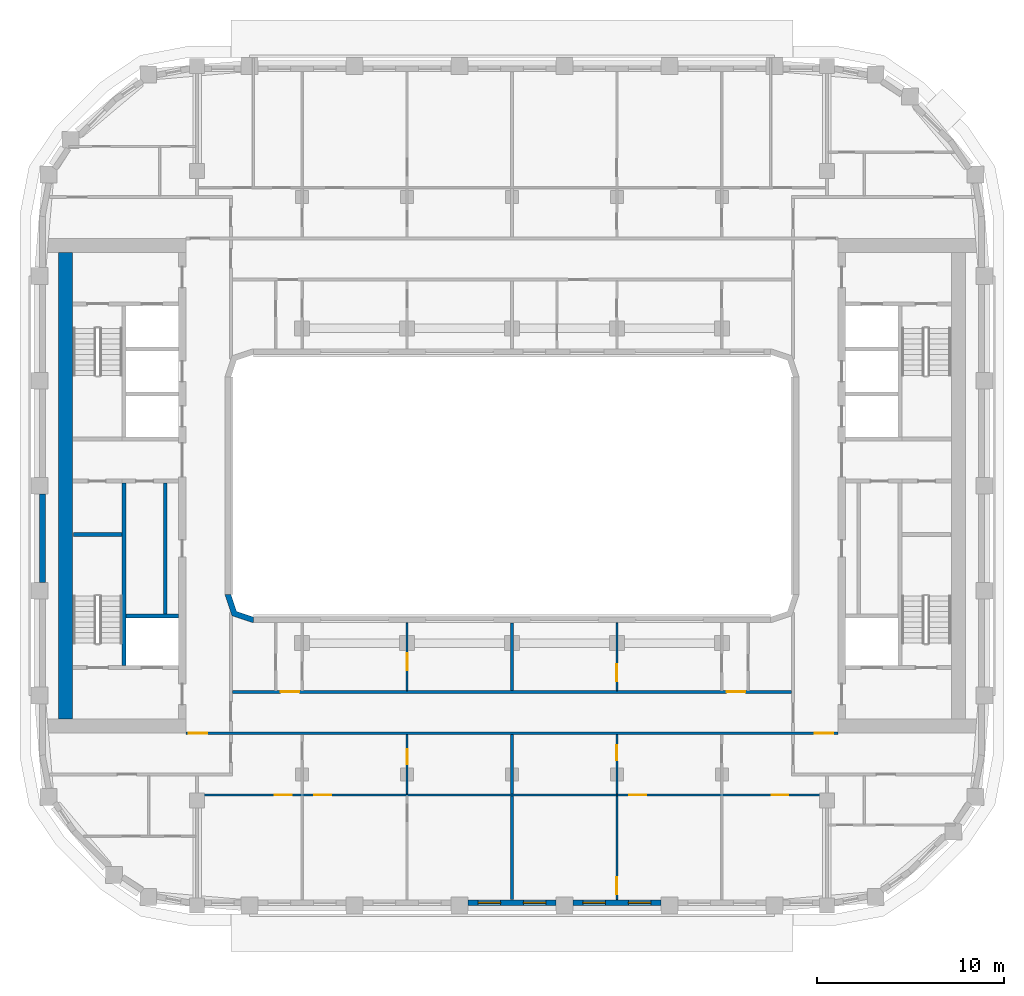
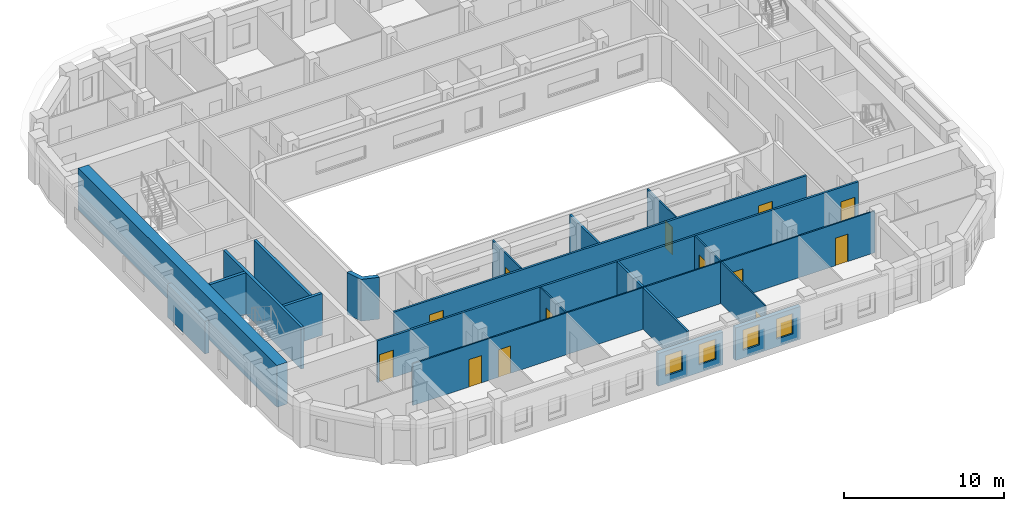
# One storey, part 3 of 20: 20 walls, 13 doors, 4 windows, 17 openings.
"""IFC4 building model written with IfcOpenShell, lengths in metres."""

from ifc_helpers import new_model, si_unit, direction, frame, frame_2d, origin, place, context, subcontext, project, spatial, polyline, rectangle, outline, extrude, material, layer, layer_set, type_object, element, fill, save


model = new_model("IFC4")

# Units and contexts
model_context = context("Model", 3, precision=1e-05, world=origin(), true_north=direction((0.0, 1.0)))
body_context = subcontext(model_context, "Body", "Model", "MODEL_VIEW")
ifc_project = project(units=[si_unit("LENGTHUNIT", "METRE"), si_unit("AREAUNIT", "SQUARE_METRE"), si_unit("VOLUMEUNIT", "CUBIC_METRE"), si_unit("PLANEANGLEUNIT", "RADIAN"), si_unit("MASSUNIT", "GRAM", prefix="KILO")], contexts=[model_context])

# Site, building, storey
site_placement = place(None, origin())
site = spatial("IfcSite", under=ifc_project, at=site_placement, CompositionType="ELEMENT")
building_placement = place(site_placement, origin())
building = spatial("IfcBuilding", under=site, at=building_placement, Name="Kiln Ring Residences", CompositionType="ELEMENT")
storey_placement = place(building_placement, frame((0.0, 0.0, 206.39990234375)))
storey = spatial("IfcBuildingStorey", under=building, at=storey_placement, Name="L53", CompositionType="ELEMENT", Elevation=206.39990234375)

# Walls
ifc_material_1 = material(Name="Gypsum board on steel studs", Category="steel")
ifc_layer_1 = layer(ifc_material_1, 0.199951171875)
ifc_layer_set_1 = layer_set([ifc_layer_1], Name="CORE-PARTITION-200")
wall_type_1 = type_object("IfcWallType", Name="CORE-PARTITION-200", PredefinedType="PARTITIONING", material=ifc_layer_set_1)
wall_1_placement = place(storey_placement, frame((-18.5, -6.85009765625, 0.0), z_axis=(0.0, 0.0, 1.0), x_axis=(0.0, 1.0, 0.0)))
element("IfcWall", 1, at=wall_1_placement, inside=storey, type_object=wall_type_1, Name="Core partition west L53 2", PredefinedType="PARTITIONING", context=body_context, shape_type="SweptSolid", body=[
    extrude(rectangle(XDim=7.0, YDim=0.199951171875, at=frame_2d((3.5, 0.0))), origin(), (0.0, 0.0, 1.0), 3.2001953125),
])
ifc_material_2 = material(Name="Gypsum shaft wall system")
ifc_layer_2 = layer(ifc_material_2, 0.199951171875)
ifc_layer_set_2 = layer_set([ifc_layer_2], Name="CORE-SHAFT-WALL-200")
wall_type_2 = type_object("IfcWallType", Name="CORE-SHAFT-WALL-200", PredefinedType="PARTITIONING", material=ifc_layer_set_2)
wall_2_placement = place(storey_placement, frame((-17.800048828125, -6.949951171875, 0.0), z_axis=(0.0, 0.0, 1.0), x_axis=(-1.0, 0.0, 0.0)))
element("IfcWall", 2, at=wall_2_placement, inside=storey, type_object=wall_type_2, Name="Core partition west L53 3", PredefinedType="PARTITIONING", context=body_context, shape_type="SweptSolid", body=[
    extrude(rectangle(XDim=2.800048828125, YDim=0.199951171875, at=frame_2d((1.39990234375, 0.0))), origin(), (0.0, 0.0, 1.0), 3.2001953125),
])
ifc_material_3 = material(Name="Concrete C40/50", Category="concrete")
ifc_layer_3 = layer(ifc_material_3, 0.199951171875)
ifc_layer_set_3 = layer_set([ifc_layer_3], Name="CORE-WALL-RC200")
wall_type_3 = type_object("IfcWallType", Name="CORE-WALL-RC200", PredefinedType="SHEAR", material=ifc_layer_set_3)
wall_3_placement = place(storey_placement, frame((-20.699951171875, -9.60009765625, 0.0), z_axis=(0.0, 0.0, 1.0), x_axis=(0.0, 1.0, 0.0)))
element("IfcWall", 3, at=wall_3_placement, inside=storey, type_object=wall_type_3, Name="Core wall west L53 2", PredefinedType="SHEAR", context=body_context, shape_type="SweptSolid", body=[
    extrude(rectangle(XDim=9.75, YDim=0.199951171875, at=frame_2d((4.875, 0.0))), origin(), (0.0, 0.0, 1.0), 3.2001953125),
])
wall_4_placement = place(storey_placement, frame((-20.800048828125, -2.60009765625, 0.0), z_axis=(0.0, 0.0, 1.0), x_axis=(-1.0, 0.0, 0.0)))
element("IfcWall", 4, at=wall_4_placement, inside=storey, type_object=wall_type_3, Name="Core wall west L53 10", PredefinedType="SHEAR", context=body_context, shape_type="SweptSolid", body=[
    extrude(rectangle(XDim=2.599853515625, YDim=0.199951171875, at=frame_2d((1.2998046875, 0.0))), origin(), (0.0, 0.0, 1.0), 3.2001953125),
])
ifc_material_4 = material(Name="Concrete C60/75", Category="concrete")
ifc_layer_4 = layer(ifc_material_4, 0.75)
ifc_layer_set_4 = layer_set([ifc_layer_4], Name="CORE-WALL-RC750")
wall_type_4 = type_object("IfcWallType", Name="CORE-WALL-RC750", PredefinedType="SHEAR", material=ifc_layer_set_4)
wall_5_placement = place(storey_placement, frame((-23.824951171875, -12.449951171875, 0.0), z_axis=(0.0, 0.0, 1.0), x_axis=(0.0, 1.0, 0.0)))
element("IfcWall", 5, at=wall_5_placement, inside=storey, type_object=wall_type_4, Name="Core wall west L53 7", PredefinedType="SHEAR", context=body_context, shape_type="SweptSolid", body=[
    extrude(rectangle(XDim=24.89990234375, YDim=0.75, at=frame_2d((12.449951171875, 0.0))), origin(), (0.0, 0.0, 1.0), 3.2001953125),
])

# Wall, openings, windows
ifc_material_5 = material(Name="Brick masonry, dark clay brick", Category="masonry")
ifc_layer_5 = layer(ifc_material_5, 0.300048828125)
ifc_layer_set_5 = layer_set([ifc_layer_5], Name="EW-300 BRICK WALL")
wall_type_5 = type_object("IfcWallType", Name="EW-300 BRICK WALL", PredefinedType="SOLIDWALL", material=ifc_layer_set_5)
wall_6_placement = place(storey_placement, frame((-2.35009765625, -22.25, 0.0), z_axis=(0.0, 0.0, 1.0), x_axis=(1.0, 0.0, 0.0)))
wall_6 = element("IfcWall", 6, at=wall_6_placement, inside=storey, type_object=wall_type_5, Name="Facade wall L53 7", PredefinedType="SOLIDWALL", context=body_context, shape_type="SweptSolid", body=[
    extrude(rectangle(XDim=4.7001953125, YDim=0.300048828125, at=frame_2d((2.35009765625, 0.0))), origin(), (0.0, 0.0, 1.0), 2.5),
])
opening_1_placement = place(wall_6_placement, frame((0.53759765625, 0.0, 0.60009765625)))
opening_1 = element("IfcOpeningElement", 7, at=opening_1_placement, cuts=wall_6, Name="Opening W1", PredefinedType="OPENING", context=body_context, shape_type="SweptSolid", body=[
    extrude(rectangle(XDim=1.199951171875, YDim=1.550048828125, at=frame_2d((0.60009765625, 0.77490234375))), frame((0.0, 0.159912109375, 0.0), z_axis=(0.0, -1.0, 0.0), x_axis=(1.0, 0.0, 0.0)), (0.0, 0.0, 1.0), 0.320068359375),
])
opening_2_placement = place(wall_6_placement, frame((2.96240234375, 0.0, 0.60009765625)))
opening_2 = element("IfcOpeningElement", 8, at=opening_2_placement, cuts=wall_6, Name="Opening W1", PredefinedType="OPENING", context=body_context, shape_type="SweptSolid", body=[
    extrude(rectangle(XDim=1.199951171875, YDim=1.550048828125, at=frame_2d((0.60009765625, 0.77490234375))), frame((0.0, 0.159912109375, 0.0), z_axis=(0.0, -1.0, 0.0), x_axis=(1.0, 0.0, 0.0)), (0.0, 0.0, 1.0), 0.320068359375),
])
ifc_material_6 = material(Name="Aluminium frame with double glazing", Category="aluminium")
window_type = type_object("IfcWindowType", Name="WINDOW 1200 x 1550", PartitioningType="SINGLE_PANEL", PredefinedType="WINDOW", material=ifc_material_6)
window_1_placement = place(opening_1_placement, origin())
window_1 = element("IfcWindow", 9, at=window_1_placement, inside=storey, type_object=window_type, Name="Window L53 7", OverallHeight=1.550048828125, OverallWidth=1.199951171875, PartitioningType="SINGLE_PANEL", PredefinedType="WINDOW", context=body_context, shape_type="SweptSolid", body=[
    extrude(rectangle(XDim=1.199951171875, YDim=1.550048828125, at=frame_2d((0.60009765625, 0.77490234375))), frame((0.0, 0.030029296875, 0.0), z_axis=(0.0, -1.0, 0.0), x_axis=(1.0, 0.0, 0.0)), (0.0, 0.0, 1.0), 0.06005859375),
])
fill(opening_1, window_1)
window_2_placement = place(opening_2_placement, origin())
window_2 = element("IfcWindow", 10, at=window_2_placement, inside=storey, type_object=window_type, Name="Window L53 8", OverallHeight=1.550048828125, OverallWidth=1.199951171875, PartitioningType="SINGLE_PANEL", PredefinedType="WINDOW", context=body_context, shape_type="SweptSolid", body=[
    extrude(rectangle(XDim=1.199951171875, YDim=1.550048828125, at=frame_2d((0.60009765625, 0.77490234375))), frame((0.0, 0.030029296875, 0.0), z_axis=(0.0, -1.0, 0.0), x_axis=(1.0, 0.0, 0.0)), (0.0, 0.0, 1.0), 0.06005859375),
])
fill(opening_2, window_2)

wall_7_placement = place(storey_placement, frame((3.25, -22.25, 0.0), z_axis=(0.0, 0.0, 1.0), x_axis=(1.0, 0.0, 0.0)))
wall_7 = element("IfcWall", 11, at=wall_7_placement, inside=storey, type_object=wall_type_5, Name="Facade wall L53 8", PredefinedType="SOLIDWALL", context=body_context, shape_type="SweptSolid", body=[
    extrude(rectangle(XDim=4.699951171875, YDim=0.300048828125, at=frame_2d((2.35009765625, 0.0))), origin(), (0.0, 0.0, 1.0), 2.5),
])
opening_3_placement = place(wall_7_placement, frame((0.53759765625, 0.0, 0.60009765625)))
opening_3 = element("IfcOpeningElement", 12, at=opening_3_placement, cuts=wall_7, Name="Opening W1", PredefinedType="OPENING", context=body_context, shape_type="SweptSolid", body=[
    extrude(rectangle(XDim=1.199951171875, YDim=1.550048828125, at=frame_2d((0.60009765625, 0.77490234375))), frame((0.0, 0.159912109375, 0.0), z_axis=(0.0, -1.0, 0.0), x_axis=(1.0, 0.0, 0.0)), (0.0, 0.0, 1.0), 0.320068359375),
])
opening_4_placement = place(wall_7_placement, frame((2.96240234375, 0.0, 0.60009765625)))
opening_4 = element("IfcOpeningElement", 13, at=opening_4_placement, cuts=wall_7, Name="Opening W1", PredefinedType="OPENING", context=body_context, shape_type="SweptSolid", body=[
    extrude(rectangle(XDim=1.199951171875, YDim=1.550048828125, at=frame_2d((0.60009765625, 0.77490234375))), frame((0.0, 0.159912109375, 0.0), z_axis=(0.0, -1.0, 0.0), x_axis=(1.0, 0.0, 0.0)), (0.0, 0.0, 1.0), 0.320068359375),
])
window_3_placement = place(opening_3_placement, origin())
window_3 = element("IfcWindow", 14, at=window_3_placement, inside=storey, type_object=window_type, Name="Window L53 9", OverallHeight=1.550048828125, OverallWidth=1.199951171875, PartitioningType="SINGLE_PANEL", PredefinedType="WINDOW", context=body_context, shape_type="SweptSolid", body=[
    extrude(rectangle(XDim=1.199951171875, YDim=1.550048828125, at=frame_2d((0.60009765625, 0.77490234375))), frame((0.0, 0.030029296875, 0.0), z_axis=(0.0, -1.0, 0.0), x_axis=(1.0, 0.0, 0.0)), (0.0, 0.0, 1.0), 0.06005859375),
])
fill(opening_3, window_3)
window_4_placement = place(opening_4_placement, origin())
window_4 = element("IfcWindow", 15, at=window_4_placement, inside=storey, type_object=window_type, Name="Window L53 10", OverallHeight=1.550048828125, OverallWidth=1.199951171875, PartitioningType="SINGLE_PANEL", PredefinedType="WINDOW", context=body_context, shape_type="SweptSolid", body=[
    extrude(rectangle(XDim=1.199951171875, YDim=1.550048828125, at=frame_2d((0.60009765625, 0.77490234375))), frame((0.0, 0.030029296875, 0.0), z_axis=(0.0, -1.0, 0.0), x_axis=(1.0, 0.0, 0.0)), (0.0, 0.0, 1.0), 0.06005859375),
])
fill(opening_4, window_4)

# Walls
wall_8_placement = place(storey_placement, frame((-25.050048828125, -0.449951171875, 0.0), z_axis=(0.0, 0.0, 1.0), x_axis=(0.0, -1.0, 0.0)))
element("IfcWall", 16, at=wall_8_placement, inside=storey, type_object=wall_type_5, Name="Facade wall L53 42", PredefinedType="SOLIDWALL", context=body_context, shape_type="SweptSolid", body=[
    extrude(rectangle(XDim=4.699951171875, YDim=0.300048828125, at=frame_2d((2.35009765625, 0.0))), origin(), (0.0, 0.0, 1.0), 2.5),
])
wall_9_placement = place(storey_placement, origin())
element("IfcWall", 17, at=wall_9_placement, inside=storey, type_object=wall_type_5, Name="Corner wall L53 4", PredefinedType="SOLIDWALL", context=body_context, shape_type="SweptSolid", body=[
    extrude(outline(polyline([(-14.937255859375, -6.937255859375), (-13.8486328125, -7.300048828125), (-13.800048828125, -7.300048828125), (-13.800048828125, -7.0), (-14.699951171875, -6.699951171875), (-15.0, -5.800048828125), (-15.300048828125, -5.800048828125), (-15.300048828125, -5.8486328125), (-14.937255859375, -6.937255859375)])), origin(), (0.0, 0.0, 1.0), 3.2001953125),
])

# Wall, openings, doors
ifc_material_7 = material(Name="Gypsum board on steel studs", Category="steel")
ifc_layer_6 = layer(ifc_material_7, 0.10009765625)
ifc_layer_set_6 = layer_set([ifc_layer_6], Name="PARTITION-100")
wall_type_6 = type_object("IfcWallType", Name="PARTITION-100", PredefinedType="PARTITIONING", material=ifc_layer_set_6)
wall_10_placement = place(storey_placement, frame((-16.72509765625, -16.5, 0.0), z_axis=(0.0, 0.0, 1.0), x_axis=(1.0, 0.0, 0.0)))
wall_10 = element("IfcWall", 18, at=wall_10_placement, inside=storey, type_object=wall_type_6, Name="Partition 002", PredefinedType="PARTITIONING", context=body_context, shape_type="SweptSolid", body=[
    extrude(rectangle(XDim=33.4501953125, YDim=0.10009765625, at=frame_2d((16.72509765625, 0.0))), origin(), (0.0, 0.0, 1.0), 3.2001953125),
])
opening_5_placement = place(wall_10_placement, frame((4.074951171875, 0.0, 0.0)))
opening_5 = element("IfcOpeningElement", 19, at=opening_5_placement, cuts=wall_10, Name="Opening L53-D048", PredefinedType="OPENING", context=body_context, shape_type="SweptSolid", body=[
    extrude(rectangle(XDim=0.89990234375, YDim=2.10009765625, at=frame_2d((0.449951171875, 1.050048828125))), frame((0.0, 0.06005859375, 0.0), z_axis=(0.0, -1.0, 0.0), x_axis=(1.0, 0.0, 0.0)), (0.0, 0.0, 1.0), 0.1201171875),
])
opening_6_placement = place(wall_10_placement, frame((6.175048828125, 0.0, 0.0)))
opening_6 = element("IfcOpeningElement", 20, at=opening_6_placement, cuts=wall_10, Name="Opening L53-D049", PredefinedType="OPENING", context=body_context, shape_type="SweptSolid", body=[
    extrude(rectangle(XDim=0.89990234375, YDim=2.10009765625, at=frame_2d((0.449951171875, 1.050048828125))), frame((0.0, 0.06005859375, 0.0), z_axis=(0.0, -1.0, 0.0), x_axis=(1.0, 0.0, 0.0)), (0.0, 0.0, 1.0), 0.1201171875),
])
opening_7_placement = place(wall_10_placement, frame((30.574951171875, 0.0, 0.0)))
opening_7 = element("IfcOpeningElement", 21, at=opening_7_placement, cuts=wall_10, Name="Opening L53-D054", PredefinedType="OPENING", context=body_context, shape_type="SweptSolid", body=[
    extrude(rectangle(XDim=0.89990234375, YDim=2.10009765625, at=frame_2d((0.449951171875, 1.050048828125))), frame((0.0, 0.06005859375, 0.0), z_axis=(0.0, -1.0, 0.0), x_axis=(1.0, 0.0, 0.0)), (0.0, 0.0, 1.0), 0.1201171875),
])
opening_8_placement = place(wall_10_placement, frame((22.97509765625, 0.0, 0.0)))
opening_8 = element("IfcOpeningElement", 22, at=opening_8_placement, cuts=wall_10, Name="Opening L53-D055", PredefinedType="OPENING", context=body_context, shape_type="SweptSolid", body=[
    extrude(rectangle(XDim=0.89990234375, YDim=2.10009765625, at=frame_2d((0.449951171875, 1.050048828125))), frame((0.0, 0.06005859375, 0.0), z_axis=(0.0, -1.0, 0.0), x_axis=(1.0, 0.0, 0.0)), (0.0, 0.0, 1.0), 0.1201171875),
])
ifc_material_8 = material(Name="Timber door leaf", Category="wood")
door_type_1 = type_object("IfcDoorType", Name="FLAT-DOOR-900-PL", OperationType="SINGLE_SWING_LEFT", PredefinedType="DOOR", material=ifc_material_8)
door_1_placement = place(opening_5_placement, origin())
door_1 = element("IfcDoor", 23, at=door_1_placement, inside=storey, type_object=door_type_1, Name="Door L53-D048", OperationType="SINGLE_SWING_RIGHT", OverallHeight=2.10009765625, OverallWidth=0.89990234375, PredefinedType="DOOR", context=body_context, shape_type="SweptSolid", body=[
    extrude(rectangle(XDim=0.89990234375, YDim=2.10009765625, at=frame_2d((0.449951171875, 1.050048828125))), frame((0.0, 0.02490234375, 0.0), z_axis=(0.0, -1.0, 0.0), x_axis=(1.0, 0.0, 0.0)), (0.0, 0.0, 1.0), 0.050048828125),
])
fill(opening_5, door_1)
door_2_placement = place(opening_6_placement, origin())
door_2 = element("IfcDoor", 24, at=door_2_placement, inside=storey, type_object=door_type_1, Name="Door L53-D049", OperationType="SINGLE_SWING_LEFT", OverallHeight=2.10009765625, OverallWidth=0.89990234375, PredefinedType="DOOR", context=body_context, shape_type="SweptSolid", body=[
    extrude(rectangle(XDim=0.89990234375, YDim=2.10009765625, at=frame_2d((0.449951171875, 1.050048828125))), frame((0.0, 0.02490234375, 0.0), z_axis=(0.0, -1.0, 0.0), x_axis=(1.0, 0.0, 0.0)), (0.0, 0.0, 1.0), 0.050048828125),
])
fill(opening_6, door_2)
door_3_placement = place(opening_7_placement, origin())
door_3 = element("IfcDoor", 25, at=door_3_placement, inside=storey, type_object=door_type_1, Name="Door L53-D054", OperationType="SINGLE_SWING_RIGHT", OverallHeight=2.10009765625, OverallWidth=0.89990234375, PredefinedType="DOOR", context=body_context, shape_type="SweptSolid", body=[
    extrude(rectangle(XDim=0.89990234375, YDim=2.10009765625, at=frame_2d((0.449951171875, 1.050048828125))), frame((0.0, 0.02490234375, 0.0), z_axis=(0.0, -1.0, 0.0), x_axis=(1.0, 0.0, 0.0)), (0.0, 0.0, 1.0), 0.050048828125),
])
fill(opening_7, door_3)
door_4_placement = place(opening_8_placement, origin())
door_4 = element("IfcDoor", 26, at=door_4_placement, inside=storey, type_object=door_type_1, Name="Door L53-D055", OperationType="SINGLE_SWING_LEFT", OverallHeight=2.10009765625, OverallWidth=0.89990234375, PredefinedType="DOOR", context=body_context, shape_type="SweptSolid", body=[
    extrude(rectangle(XDim=0.89990234375, YDim=2.10009765625, at=frame_2d((0.449951171875, 1.050048828125))), frame((0.0, 0.02490234375, 0.0), z_axis=(0.0, -1.0, 0.0), x_axis=(1.0, 0.0, 0.0)), (0.0, 0.0, 1.0), 0.050048828125),
])
fill(opening_8, door_4)

# Wall, opening, door
wall_11_placement = place(storey_placement, frame((-5.60009765625, -16.449951171875, 0.0), z_axis=(0.0, 0.0, 1.0), x_axis=(0.0, 1.0, 0.0)))
wall_11 = element("IfcWall", 27, at=wall_11_placement, inside=storey, type_object=wall_type_6, Name="Partition 032", PredefinedType="PARTITIONING", context=body_context, shape_type="SweptSolid", body=[
    extrude(rectangle(XDim=3.175048828125, YDim=0.10009765625, at=frame_2d((1.58740234375, 0.0))), origin(), (0.0, 0.0, 1.0), 3.2001953125),
])
opening_9_placement = place(wall_11_placement, frame((1.60009765625, 0.0, 0.0)))
opening_9 = element("IfcOpeningElement", 28, at=opening_9_placement, cuts=wall_11, Name="Opening L53-D047", PredefinedType="OPENING", context=body_context, shape_type="SweptSolid", body=[
    extrude(rectangle(XDim=0.800048828125, YDim=2.10009765625, at=frame_2d((0.39990234375, 1.050048828125))), frame((0.0, 0.06005859375, 0.0), z_axis=(0.0, -1.0, 0.0), x_axis=(1.0, 0.0, 0.0)), (0.0, 0.0, 1.0), 0.1201171875),
])
ifc_material_9 = material(Name="Timber door leaf", Category="wood")
door_type_2 = type_object("IfcDoorType", Name="FLAT-DOOR-800-PL", OperationType="SINGLE_SWING_LEFT", PredefinedType="DOOR", material=ifc_material_9)
door_5_placement = place(opening_9_placement, origin())
door_5 = element("IfcDoor", 29, at=door_5_placement, inside=storey, type_object=door_type_2, Name="Door L53-D047", OperationType="SINGLE_SWING_RIGHT", OverallHeight=2.10009765625, OverallWidth=0.800048828125, PredefinedType="DOOR", context=body_context, shape_type="SweptSolid", body=[
    extrude(rectangle(XDim=0.800048828125, YDim=2.10009765625, at=frame_2d((0.39990234375, 1.050048828125))), frame((0.0, 0.02490234375, 0.0), z_axis=(0.0, -1.0, 0.0), x_axis=(1.0, 0.0, 0.0)), (0.0, 0.0, 1.0), 0.050048828125),
])
fill(opening_9, door_5)

wall_12_placement = place(storey_placement, frame((-5.60009765625, -10.925048828125, 0.0), z_axis=(0.0, 0.0, 1.0), x_axis=(0.0, 1.0, 0.0)))
wall_12 = element("IfcWall", 30, at=wall_12_placement, inside=storey, type_object=wall_type_6, Name="Partition 033", PredefinedType="PARTITIONING", context=body_context, shape_type="SweptSolid", body=[
    extrude(rectangle(XDim=3.60498046875, YDim=0.10009765625, at=frame_2d((1.802490234375, 0.0))), origin(), (0.0, 0.0, 1.0), 3.2001953125),
])
opening_10_placement = place(wall_12_placement, frame((1.075927734375, 0.0, 0.0)))
opening_10 = element("IfcOpeningElement", 31, at=opening_10_placement, cuts=wall_12, Name="Opening L53-D040", PredefinedType="OPENING", context=body_context, shape_type="SweptSolid", body=[
    extrude(rectangle(XDim=0.89990234375, YDim=2.10009765625, at=frame_2d((0.449951171875, 1.050048828125))), frame((0.0, 0.06005859375, 0.0), z_axis=(0.0, -1.0, 0.0), x_axis=(1.0, 0.0, 0.0)), (0.0, 0.0, 1.0), 0.1201171875),
])
door_6_placement = place(opening_10_placement, origin())
door_6 = element("IfcDoor", 32, at=door_6_placement, inside=storey, type_object=door_type_1, Name="Door L53-D040", OperationType="SINGLE_SWING_LEFT", OverallHeight=2.10009765625, OverallWidth=0.89990234375, PredefinedType="DOOR", context=body_context, shape_type="SweptSolid", body=[
    extrude(rectangle(XDim=0.89990234375, YDim=2.10009765625, at=frame_2d((0.449951171875, 1.050048828125))), frame((0.0, 0.02490234375, 0.0), z_axis=(0.0, -1.0, 0.0), x_axis=(1.0, 0.0, 0.0)), (0.0, 0.0, 1.0), 0.050048828125),
])
fill(opening_10, door_6)

wall_13_placement = place(storey_placement, frame((5.60009765625, -22.080078125, 0.0), z_axis=(0.0, 0.0, 1.0), x_axis=(0.0, 1.0, 0.0)))
wall_13 = element("IfcWall", 33, at=wall_13_placement, inside=storey, type_object=wall_type_6, Name="Partition 044", PredefinedType="PARTITIONING", context=body_context, shape_type="SweptSolid", body=[
    extrude(rectangle(XDim=5.530029296875, YDim=0.10009765625, at=frame_2d((2.76513671875, 0.0))), origin(), (0.0, 0.0, 1.0), 3.2001953125),
])
opening_11_placement = place(wall_13_placement, frame((0.280029296875, 0.0, 0.0)))
opening_11 = element("IfcOpeningElement", 34, at=opening_11_placement, cuts=wall_13, Name="Opening L53-D056", PredefinedType="OPENING", context=body_context, shape_type="SweptSolid", body=[
    extrude(rectangle(XDim=0.89990234375, YDim=2.10009765625, at=frame_2d((0.449951171875, 1.050048828125))), frame((0.0, 0.06005859375, 0.0), z_axis=(0.0, -1.0, 0.0), x_axis=(1.0, 0.0, 0.0)), (0.0, 0.0, 1.0), 0.1201171875),
])
door_7_placement = place(opening_11_placement, origin())
door_7 = element("IfcDoor", 35, at=door_7_placement, inside=storey, type_object=door_type_1, Name="Door L53-D056", OperationType="SINGLE_SWING_RIGHT", OverallHeight=2.10009765625, OverallWidth=0.89990234375, PredefinedType="DOOR", context=body_context, shape_type="SweptSolid", body=[
    extrude(rectangle(XDim=0.89990234375, YDim=2.10009765625, at=frame_2d((0.449951171875, 1.050048828125))), frame((0.0, 0.02490234375, 0.0), z_axis=(0.0, -1.0, 0.0), x_axis=(1.0, 0.0, 0.0)), (0.0, 0.0, 1.0), 0.050048828125),
])
fill(opening_11, door_7)

wall_14_placement = place(storey_placement, frame((5.60009765625, -16.449951171875, 0.0), z_axis=(0.0, 0.0, 1.0), x_axis=(0.0, 1.0, 0.0)))
wall_14 = element("IfcWall", 36, at=wall_14_placement, inside=storey, type_object=wall_type_6, Name="Partition 045", PredefinedType="PARTITIONING", context=body_context, shape_type="SweptSolid", body=[
    extrude(rectangle(XDim=3.175048828125, YDim=0.10009765625, at=frame_2d((1.58740234375, 0.0))), origin(), (0.0, 0.0, 1.0), 3.2001953125),
])
opening_12_placement = place(wall_14_placement, frame((1.799072265625, 0.0, 0.0)))
opening_12 = element("IfcOpeningElement", 37, at=opening_12_placement, cuts=wall_14, Name="Opening L53-D053", PredefinedType="OPENING", context=body_context, shape_type="SweptSolid", body=[
    extrude(rectangle(XDim=0.800048828125, YDim=2.10009765625, at=frame_2d((0.39990234375, 1.050048828125))), frame((0.0, 0.06005859375, 0.0), z_axis=(0.0, -1.0, 0.0), x_axis=(1.0, 0.0, 0.0)), (0.0, 0.0, 1.0), 0.1201171875),
])
door_8_placement = place(opening_12_placement, origin())
door_8 = element("IfcDoor", 38, at=door_8_placement, inside=storey, type_object=door_type_2, Name="Door L53-D053", OperationType="SINGLE_SWING_LEFT", OverallHeight=2.10009765625, OverallWidth=0.800048828125, PredefinedType="DOOR", context=body_context, shape_type="SweptSolid", body=[
    extrude(rectangle(XDim=0.800048828125, YDim=2.10009765625, at=frame_2d((0.39990234375, 1.050048828125))), frame((0.0, 0.02490234375, 0.0), z_axis=(0.0, -1.0, 0.0), x_axis=(1.0, 0.0, 0.0)), (0.0, 0.0, 1.0), 0.050048828125),
])
fill(opening_12, door_8)

wall_15_placement = place(storey_placement, frame((5.60009765625, -10.925048828125, 0.0), z_axis=(0.0, 0.0, 1.0), x_axis=(0.0, 1.0, 0.0)))
wall_15 = element("IfcWall", 39, at=wall_15_placement, inside=storey, type_object=wall_type_6, Name="Partition 046", PredefinedType="PARTITIONING", context=body_context, shape_type="SweptSolid", body=[
    extrude(rectangle(XDim=3.60498046875, YDim=0.10009765625, at=frame_2d((1.802490234375, 0.0))), origin(), (0.0, 0.0, 1.0), 3.2001953125),
])
opening_13_placement = place(wall_15_placement, frame((0.5048828125, 0.0, 0.0)))
opening_13 = element("IfcOpeningElement", 40, at=opening_13_placement, cuts=wall_15, Name="Opening L53-D044", PredefinedType="OPENING", context=body_context, shape_type="SweptSolid", body=[
    extrude(rectangle(XDim=0.89990234375, YDim=2.10009765625, at=frame_2d((0.449951171875, 1.050048828125))), frame((0.0, 0.06005859375, 0.0), z_axis=(0.0, -1.0, 0.0), x_axis=(1.0, 0.0, 0.0)), (0.0, 0.0, 1.0), 0.1201171875),
])
door_9_placement = place(opening_13_placement, origin())
door_9 = element("IfcDoor", 41, at=door_9_placement, inside=storey, type_object=door_type_1, Name="Door L53-D044", OperationType="SINGLE_SWING_RIGHT", OverallHeight=2.10009765625, OverallWidth=0.89990234375, PredefinedType="DOOR", context=body_context, shape_type="SweptSolid", body=[
    extrude(rectangle(XDim=0.89990234375, YDim=2.10009765625, at=frame_2d((0.449951171875, 1.050048828125))), frame((0.0, 0.02490234375, 0.0), z_axis=(0.0, -1.0, 0.0), x_axis=(1.0, 0.0, 0.0)), (0.0, 0.0, 1.0), 0.050048828125),
])
fill(opening_13, door_9)

# Wall, openings, doors
ifc_material_10 = material(Name="Brick masonry partition", Category="masonry")
ifc_layer_7 = layer(ifc_material_10, 0.14990234375)
ifc_layer_set_7 = layer_set([ifc_layer_7], Name="PARTITION-150-ei60")
wall_type_7 = type_object("IfcWallType", Name="PARTITION-150-ei60", PredefinedType="PARTITIONING", material=ifc_layer_set_7)
wall_16_placement = place(storey_placement, frame((-17.39990234375, -13.199951171875, 0.0), z_axis=(0.0, 0.0, 1.0), x_axis=(1.0, 0.0, 0.0)))
wall_16 = element("IfcWall", 42, at=wall_16_placement, inside=storey, type_object=wall_type_7, Name="Partition 005", PredefinedType="PARTITIONING", context=body_context, shape_type="SweptSolid", body=[
    extrude(rectangle(XDim=34.7998046875, YDim=0.14990234375, at=frame_2d((17.39990234375, 0.0))), origin(), (0.0, 0.0, 1.0), 3.2001953125),
])
opening_14_placement = place(wall_16_placement, frame((0.14990234375, 0.0, 0.0)))
opening_14 = element("IfcOpeningElement", 43, at=opening_14_placement, cuts=wall_16, Name="Opening L53-D007", PredefinedType="OPENING", context=body_context, shape_type="SweptSolid", body=[
    extrude(rectangle(XDim=1.0, YDim=2.10009765625, at=frame_2d((0.5, 1.050048828125))), frame((0.0, 0.0849609375, 0.0), z_axis=(0.0, -1.0, 0.0), x_axis=(1.0, 0.0, 0.0)), (0.0, 0.0, 1.0), 0.169921875),
])
opening_15_placement = place(wall_16_placement, frame((33.550048828125, 0.0, 0.0)))
opening_15 = element("IfcOpeningElement", 44, at=opening_15_placement, cuts=wall_16, Name="Opening L53-D008", PredefinedType="OPENING", context=body_context, shape_type="SweptSolid", body=[
    extrude(rectangle(XDim=1.0, YDim=2.10009765625, at=frame_2d((0.5, 1.050048828125))), frame((0.0, 0.0849609375, 0.0), z_axis=(0.0, -1.0, 0.0), x_axis=(1.0, 0.0, 0.0)), (0.0, 0.0, 1.0), 0.169921875),
])
ifc_material_11 = material(Name="Steel faced fire door leaf", Category="steel")
door_type_3 = type_object("IfcDoorType", Name="FLAT-DOOR-1000-FR", OperationType="SINGLE_SWING_LEFT", PredefinedType="DOOR", material=ifc_material_11)
door_10_placement = place(opening_14_placement, origin())
door_10 = element("IfcDoor", 45, at=door_10_placement, inside=storey, type_object=door_type_3, Name="Door L53-D007", OperationType="SINGLE_SWING_RIGHT", OverallHeight=2.10009765625, OverallWidth=1.0, PredefinedType="DOOR", context=body_context, shape_type="SweptSolid", body=[
    extrude(rectangle(XDim=1.0, YDim=2.10009765625, at=frame_2d((0.5, 1.050048828125))), frame((0.0, 0.02490234375, 0.0), z_axis=(0.0, -1.0, 0.0), x_axis=(1.0, 0.0, 0.0)), (0.0, 0.0, 1.0), 0.050048828125),
])
fill(opening_14, door_10)
door_11_placement = place(opening_15_placement, origin())
door_11 = element("IfcDoor", 46, at=door_11_placement, inside=storey, type_object=door_type_3, Name="Door L53-D008", OperationType="SINGLE_SWING_LEFT", OverallHeight=2.10009765625, OverallWidth=1.0, PredefinedType="DOOR", context=body_context, shape_type="SweptSolid", body=[
    extrude(rectangle(XDim=1.0, YDim=2.10009765625, at=frame_2d((0.5, 1.050048828125))), frame((0.0, 0.02490234375, 0.0), z_axis=(0.0, -1.0, 0.0), x_axis=(1.0, 0.0, 0.0)), (0.0, 0.0, 1.0), 0.050048828125),
])
fill(opening_15, door_11)

wall_17_placement = place(storey_placement, frame((-14.925048828125, -11.0, 0.0), z_axis=(0.0, 0.0, 1.0), x_axis=(1.0, 0.0, 0.0)))
wall_17 = element("IfcWall", 47, at=wall_17_placement, inside=storey, type_object=wall_type_7, Name="Partition 006", PredefinedType="PARTITIONING", context=body_context, shape_type="SweptSolid", body=[
    extrude(rectangle(XDim=29.85009765625, YDim=0.14990234375, at=frame_2d((14.925048828125, 0.0))), origin(), (0.0, 0.0, 1.0), 3.2001953125),
])
opening_16_placement = place(wall_17_placement, frame((2.574951171875, 0.0, 0.0)))
opening_16 = element("IfcOpeningElement", 48, at=opening_16_placement, cuts=wall_17, Name="Opening L53-D037", PredefinedType="OPENING", context=body_context, shape_type="SweptSolid", body=[
    extrude(rectangle(XDim=1.0, YDim=2.10009765625, at=frame_2d((0.5, 1.050048828125))), frame((0.0, 0.0849609375, 0.0), z_axis=(0.0, -1.0, 0.0), x_axis=(1.0, 0.0, 0.0)), (0.0, 0.0, 1.0), 0.169921875),
])
opening_17_placement = place(wall_17_placement, frame((26.375, 0.0, 0.0)))
opening_17 = element("IfcOpeningElement", 49, at=opening_17_placement, cuts=wall_17, Name="Opening L53-D041", PredefinedType="OPENING", context=body_context, shape_type="SweptSolid", body=[
    extrude(rectangle(XDim=1.0, YDim=2.10009765625, at=frame_2d((0.5, 1.050048828125))), frame((0.0, 0.0849609375, 0.0), z_axis=(0.0, -1.0, 0.0), x_axis=(1.0, 0.0, 0.0)), (0.0, 0.0, 1.0), 0.169921875),
])
door_12_placement = place(opening_16_placement, origin())
door_12 = element("IfcDoor", 50, at=door_12_placement, inside=storey, type_object=door_type_3, Name="Door L53-D037", OperationType="SINGLE_SWING_LEFT", OverallHeight=2.10009765625, OverallWidth=1.0, PredefinedType="DOOR", context=body_context, shape_type="SweptSolid", body=[
    extrude(rectangle(XDim=1.0, YDim=2.10009765625, at=frame_2d((0.5, 1.050048828125))), frame((0.0, 0.02490234375, 0.0), z_axis=(0.0, -1.0, 0.0), x_axis=(1.0, 0.0, 0.0)), (0.0, 0.0, 1.0), 0.050048828125),
])
fill(opening_16, door_12)
door_13_placement = place(opening_17_placement, origin())
door_13 = element("IfcDoor", 51, at=door_13_placement, inside=storey, type_object=door_type_3, Name="Door L53-D041", OperationType="SINGLE_SWING_LEFT", OverallHeight=2.10009765625, OverallWidth=1.0, PredefinedType="DOOR", context=body_context, shape_type="SweptSolid", body=[
    extrude(rectangle(XDim=1.0, YDim=2.10009765625, at=frame_2d((0.5, 1.050048828125))), frame((0.0, 0.02490234375, 0.0), z_axis=(0.0, -1.0, 0.0), x_axis=(1.0, 0.0, 0.0)), (0.0, 0.0, 1.0), 0.050048828125),
])
fill(opening_17, door_13)

# Walls
wall_18_placement = place(storey_placement, frame((0.0, -22.080078125, 0.0), z_axis=(0.0, 0.0, 1.0), x_axis=(0.0, 1.0, 0.0)))
element("IfcWall", 52, at=wall_18_placement, inside=storey, type_object=wall_type_7, Name="Partition 037", PredefinedType="PARTITIONING", context=body_context, shape_type="SweptSolid", body=[
    extrude(rectangle(XDim=5.530029296875, YDim=0.14990234375, at=frame_2d((2.76513671875, 0.0))), origin(), (0.0, 0.0, 1.0), 3.2001953125),
])
wall_19_placement = place(storey_placement, frame((0.0, -16.449951171875, 0.0), z_axis=(0.0, 0.0, 1.0), x_axis=(0.0, 1.0, 0.0)))
element("IfcWall", 53, at=wall_19_placement, inside=storey, type_object=wall_type_7, Name="Partition 038", PredefinedType="PARTITIONING", context=body_context, shape_type="SweptSolid", body=[
    extrude(rectangle(XDim=3.175048828125, YDim=0.14990234375, at=frame_2d((1.58740234375, 0.0))), origin(), (0.0, 0.0, 1.0), 3.2001953125),
])
wall_20_placement = place(storey_placement, frame((0.0, -10.925048828125, 0.0), z_axis=(0.0, 0.0, 1.0), x_axis=(0.0, 1.0, 0.0)))
element("IfcWall", 54, at=wall_20_placement, inside=storey, type_object=wall_type_7, Name="Partition 039", PredefinedType="PARTITIONING", context=body_context, shape_type="SweptSolid", body=[
    extrude(rectangle(XDim=3.60498046875, YDim=0.14990234375, at=frame_2d((1.802490234375, 0.0))), origin(), (0.0, 0.0, 1.0), 3.2001953125),
])

save(model, "model.ifc")
